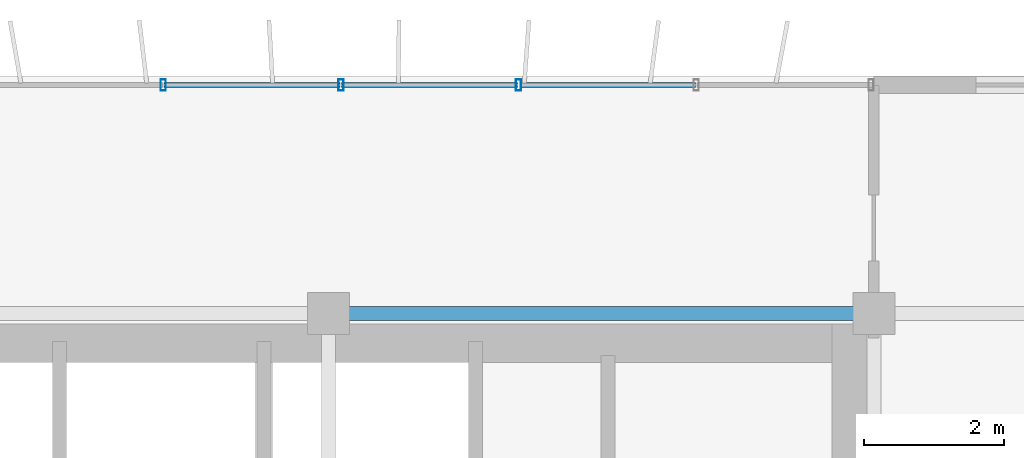
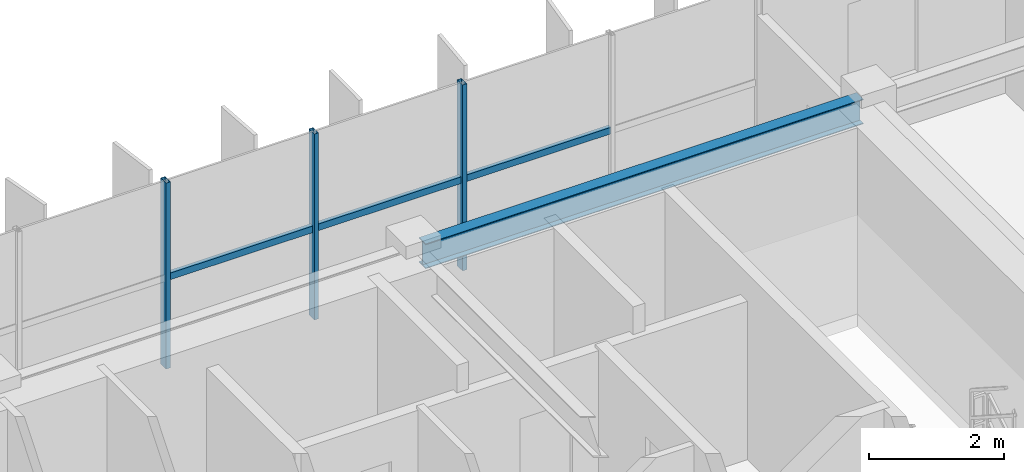
# One storey, part 12 of 21: 6 members, 1 beam, 1 element without a shape of its own.
"""IFC4 building model written with IfcOpenShell, lengths in metres."""

from ifc_helpers import new_model, si_unit, direction, frame, origin, origin_2d, place, context, subcontext, project, spatial, hollow_rectangle, i_section, extrude, source, transform, mapped, material, material_profile, profile_set, type_object, element, aggregate, save


model = new_model("IFC4")

# Units and contexts
model_context = context("Model", 3, precision=1e-05, world=origin(), true_north=direction((0.0, 1.0)))
body_context = subcontext(model_context, "Body", "Model", "MODEL_VIEW")
ifc_project = project(units=[si_unit("LENGTHUNIT", "METRE"), si_unit("AREAUNIT", "SQUARE_METRE"), si_unit("VOLUMEUNIT", "CUBIC_METRE"), si_unit("PLANEANGLEUNIT", "RADIAN"), si_unit("MASSUNIT", "GRAM", prefix="KILO")], contexts=[model_context])

# Site, building, storey
site_placement = place(None, origin())
site = spatial("IfcSite", under=ifc_project, at=site_placement, CompositionType="ELEMENT")
building_placement = place(site_placement, origin())
building = spatial("IfcBuilding", under=site, at=building_placement, Name="Trelvane Seafront Commons", CompositionType="ELEMENT")
storey_placement = place(building_placement, frame((0.0, 0.0, 255.89990234375)))
storey = spatial("IfcBuildingStorey", under=building, at=storey_placement, Name="L66", CompositionType="ELEMENT", Elevation=255.89990234375)

# Beam
ifc_material_1 = material(Name="Steel SM355 (S355)", Category="steel")
ifc_material_profile_1 = material_profile(ifc_material_1, i_section(OverallWidth=0.199951171875, OverallDepth=0.449951171875, WebThickness=0.009033203125, FlangeThickness=0.013916015625, at=origin_2d()), Name="H-450x200x9x14")
ifc_profile_set_1 = profile_set([ifc_material_profile_1], Name="Steel SM355 (S355)")
beam_type = type_object("IfcBeamType", Name="STR-SPD-H450", PredefinedType="SPANDREL", material=ifc_profile_set_1)
shared_shape_1 = source(origin(), body_context, "Body", "SweptSolid", [
    extrude(i_section(OverallWidth=0.199951171875, OverallDepth=0.449951171875, WebThickness=0.009033203125, FlangeThickness=0.013916015625, at=origin_2d()), origin(), (0.0, 0.0, 1.0), 7.5),
])
beam_placement = place(storey_placement, frame((51.14990234375, 45.10009765625, 3.14501953125), z_axis=(1.0, 0.0, 0.0), x_axis=(0.0, 1.0, 0.0)))
element("IfcBeam", 1, at=beam_placement, inside=storey, type_object=beam_type, Name="L66 Primary Girder G-27", PredefinedType="SPANDREL", context=body_context, shape_type="MappedRepresentation", body=[
    mapped(shared_shape_1, transform((0.0, 0.0, 0.0), x_axis=(1.0, 0.0, 0.0), y_axis=(0.0, 1.0, 0.0), z_axis=(0.0, 0.0, 1.0), scale=1.0)),
])

# Curtain wall, members
ifc_material_2 = material(Name="Anodised pale-silver aluminium", Category="aluminium")
curtain_wall_type = type_object("IfcCurtainWallType", Name="ARCH-CW5-UPTOWER", PredefinedType="NOTDEFINED", material=ifc_material_2)
curtain_wall_placement = place(storey_placement, origin())
curtain_wall = element("IfcCurtainWall", 2, at=curtain_wall_placement, inside=storey, type_object=curtain_wall_type, Name="CW-L66-0110", PredefinedType="NOTDEFINED")
ifc_material_profile_2 = material_profile(ifc_material_2, hollow_rectangle(XDim=0.070068359375, YDim=0.1201171875, WallThickness=0.00390625, at=origin_2d()), Name="TRAN-70x120x4")
ifc_profile_set_2 = profile_set([ifc_material_profile_2], Name="Anodised pale-silver aluminium")
member_type_1 = type_object("IfcMemberType", Name="ARCH-CW-TRAN-120", PredefinedType="USERDEFINED", material=ifc_profile_set_2)
shared_shape_2 = source(origin(), body_context, "Body", "SweptSolid", [
    extrude(hollow_rectangle(XDim=0.070068359375, YDim=0.1201171875, WallThickness=0.00390625, at=origin_2d()), origin(), (0.0, 0.0, 1.0), 2.51708984375),
])
member_1_placement = place(storey_placement, frame((51.1884765625, 48.3701171875, 1.6181640625), z_axis=(1.0, 0.0, 0.0), x_axis=(0.0, 1.0, 0.0)))
member_1 = element("IfcMember", 3, at=member_1_placement, type_object=member_type_1, Name="CW-L66-0110-T14", ObjectType="TRANSOM", PredefinedType="USERDEFINED", context=body_context, shape_type="MappedRepresentation", body=[
    mapped(shared_shape_2, transform((0.0, 0.0, 0.0), x_axis=(1.0, 0.0, 0.0), y_axis=(0.0, 1.0, 0.0), z_axis=(0.0, 0.0, 1.0), scale=1.0)),
])
shared_shape_3 = source(origin(), body_context, "Body", "SweptSolid", [
    extrude(hollow_rectangle(XDim=0.070068359375, YDim=0.1201171875, WallThickness=0.00390625, at=origin_2d()), origin(), (0.0, 0.0, 1.0), 2.517333984375),
])
member_2_placement = place(storey_placement, frame((48.647216796875, 48.3701171875, 1.6181640625), z_axis=(1.0, 0.0, 0.0), x_axis=(0.0, 1.0, 0.0)))
member_2 = element("IfcMember", 4, at=member_2_placement, type_object=member_type_1, Name="CW-L66-0110-T13", ObjectType="TRANSOM", PredefinedType="USERDEFINED", context=body_context, shape_type="MappedRepresentation", body=[
    mapped(shared_shape_3, transform((0.0, 0.0, 0.0), x_axis=(1.0, 0.0, 0.0), y_axis=(0.0, 1.0, 0.0), z_axis=(0.0, 0.0, 1.0), scale=1.0)),
])
member_3_placement = place(storey_placement, frame((53.7294921875, 48.3701171875, 1.6181640625), z_axis=(1.0, 0.0, 0.0), x_axis=(0.0, 1.0, 0.0)))
member_3 = element("IfcMember", 5, at=member_3_placement, type_object=member_type_1, Name="CW-L66-0110-T15", ObjectType="TRANSOM", PredefinedType="USERDEFINED", context=body_context, shape_type="MappedRepresentation", body=[
    mapped(shared_shape_3, transform((0.0, 0.0, 0.0), x_axis=(1.0, 0.0, 0.0), y_axis=(0.0, 1.0, 0.0), z_axis=(0.0, 0.0, 1.0), scale=1.0)),
])
ifc_material_profile_3 = material_profile(ifc_material_2, hollow_rectangle(XDim=0.074951171875, YDim=0.159912109375, WallThickness=0.00390625, at=origin_2d()), Name="MULL-75x160x4")
ifc_profile_set_3 = profile_set([ifc_material_profile_3], Name="Anodised pale-silver aluminium")
member_type_2 = type_object("IfcMemberType", Name="ARCH-CW-MULL-160", PredefinedType="MULLION", material=ifc_profile_set_3)
shared_shape_4 = source(origin(), body_context, "Body", "SweptSolid", [
    extrude(hollow_rectangle(XDim=0.074951171875, YDim=0.159912109375, WallThickness=0.00390625, at=origin_2d()), origin(), (0.0, 0.0, 1.0), 3.3701171875),
])
member_4_placement = place(storey_placement, frame((48.63525390625, 48.3701171875, 0.0), z_axis=(0.0, 0.0, 1.0), x_axis=(1.0, 0.0, 0.0)))
member_4 = element("IfcMember", 6, at=member_4_placement, type_object=member_type_2, Name="CW-L66-0110-M13", PredefinedType="MULLION", context=body_context, shape_type="MappedRepresentation", body=[
    mapped(shared_shape_4, transform((0.0, 0.0, 0.0), x_axis=(1.0, 0.0, 0.0), y_axis=(0.0, 1.0, 0.0), z_axis=(0.0, 0.0, 1.0), scale=1.0)),
])
member_5_placement = place(storey_placement, frame((51.176513671875, 48.3701171875, 0.0), z_axis=(0.0, 0.0, 1.0), x_axis=(1.0, 0.0, 0.0)))
member_5 = element("IfcMember", 7, at=member_5_placement, type_object=member_type_2, Name="CW-L66-0110-M14", PredefinedType="MULLION", context=body_context, shape_type="MappedRepresentation", body=[
    mapped(shared_shape_4, transform((0.0, 0.0, 0.0), x_axis=(1.0, 0.0, 0.0), y_axis=(0.0, 1.0, 0.0), z_axis=(0.0, 0.0, 1.0), scale=1.0)),
])
member_6_placement = place(storey_placement, frame((53.717529296875, 48.3701171875, 0.0), z_axis=(0.0, 0.0, 1.0), x_axis=(1.0, 0.0, 0.0)))
member_6 = element("IfcMember", 8, at=member_6_placement, type_object=member_type_2, Name="CW-L66-0110-M15", PredefinedType="MULLION", context=body_context, shape_type="MappedRepresentation", body=[
    mapped(shared_shape_4, transform((0.0, 0.0, 0.0), x_axis=(1.0, 0.0, 0.0), y_axis=(0.0, 1.0, 0.0), z_axis=(0.0, 0.0, 1.0), scale=1.0)),
])
aggregate(curtain_wall, [member_4, member_5, member_6, member_2, member_1, member_3])

save(model, "model.ifc")
